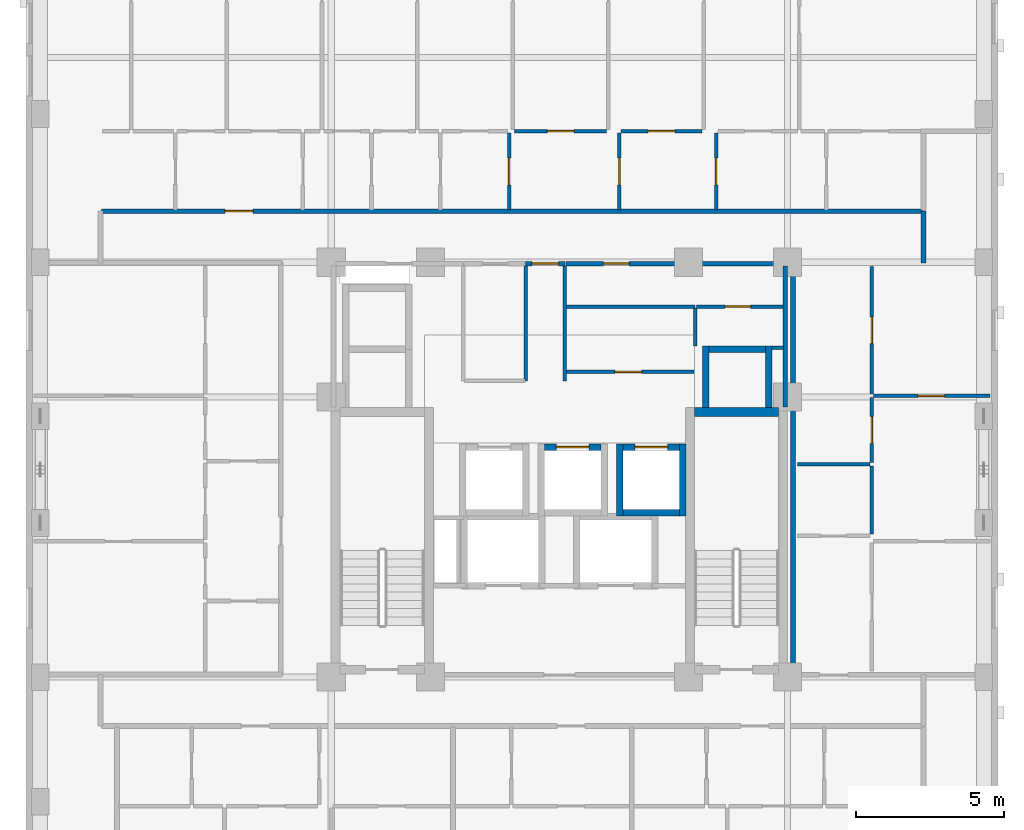
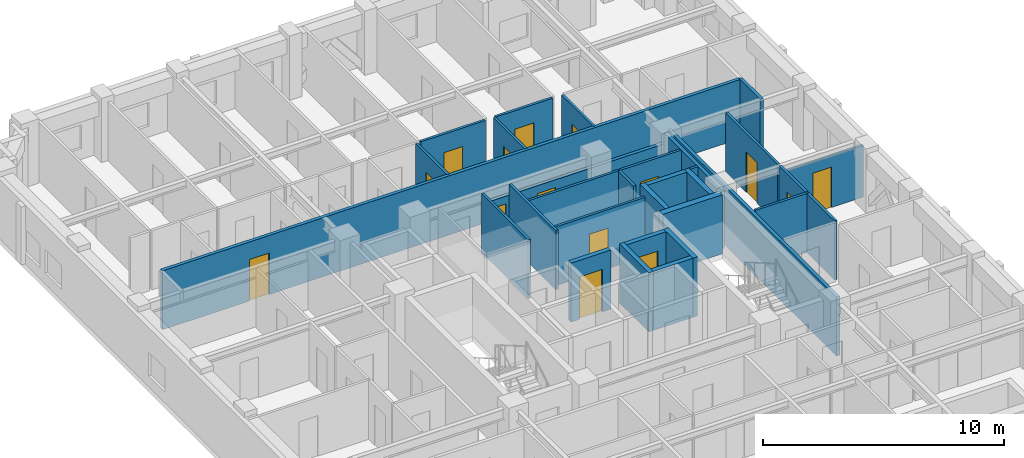
# One storey, part 6 of 11: 32 walls, 15 doors, 15 openings.
"""IFC4 building model written with IfcOpenShell, lengths in metres."""

from ifc_helpers import new_model, si_unit, derived_unit, direction, frame, frame_2d, origin, place, context, subcontext, project, spatial, rectangle, extrude, material, layer, layer_set, type_object, element, fill, save


model = new_model("IFC4")

# Units and contexts
model_context = context("Model", 3, precision=1e-05, world=origin(), true_north=direction((0.0, 1.0)))
body_context = subcontext(model_context, "Body", "Model", "MODEL_VIEW")
ifc_project = project(units=[si_unit("LENGTHUNIT", "METRE"), si_unit("AREAUNIT", "SQUARE_METRE"), si_unit("VOLUMEUNIT", "CUBIC_METRE"), si_unit("PLANEANGLEUNIT", "RADIAN"), si_unit("MASSUNIT", "GRAM", prefix="KILO"), derived_unit("THERMALTRANSMITTANCEUNIT", [(si_unit("MASSUNIT", "GRAM", prefix="KILO"), 1), (si_unit("TIMEUNIT", "SECOND"), -3), (si_unit("THERMODYNAMICTEMPERATUREUNIT", "KELVIN"), -1)])], contexts=[model_context])

# Site, building, storey
site_placement = place(None, origin())
site = spatial("IfcSite", under=ifc_project, at=site_placement, CompositionType="ELEMENT")
building_placement = place(site_placement, origin())
building = spatial("IfcBuilding", under=site, at=building_placement, Name="Korrvale Station Residences", CompositionType="ELEMENT")
storey_placement = place(building_placement, frame((0.0, 0.0, 160.14990234375)))
storey = spatial("IfcBuildingStorey", under=building, at=storey_placement, Name="L46", CompositionType="ELEMENT", Elevation=160.14990234375)

# Walls
ifc_material_1 = material(Name="Concrete C60/75", Category="concrete")
ifc_layer_1 = layer(ifc_material_1, 0.300048828125, Name="Concrete C60/75")
ifc_layer_set_1 = layer_set([ifc_layer_1], Name="Concrete C60/75")
wall_type_1 = type_object("IfcWallType", Name="WAL-CORE-300-C60", PredefinedType="SHEAR", material=ifc_layer_set_1)
wall_1_placement = place(storey_placement, frame((30.050048828125, 23.949951171875, 0.0), z_axis=(0.0, 0.0, 1.0), x_axis=(1.0, 0.0, 0.0)))
element("IfcWall", 1, at=wall_1_placement, inside=storey, type_object=wall_type_1, Name="L46 ST-2 Core Shear Wall North", PredefinedType="SHEAR", context=body_context, shape_type="SweptSolid", body=[
    extrude(rectangle(XDim=2.849853515625, YDim=0.300048828125, at=frame_2d((1.4248046875, 0.0))), origin(), (0.0, 0.0, 1.0), 2.989990234375),
])
ifc_material_2 = material(Name="Acoustic steel-stud gypsum board partition", Category="steel")
ifc_layer_2 = layer(ifc_material_2, 0.1201171875, Name="Acoustic steel-stud gypsum board partition")
ifc_layer_set_2 = layer_set([ifc_layer_2], Name="Acoustic steel-stud gypsum board partition")
wall_type_2 = type_object("IfcWallType", Name="WAL-PART-125", PredefinedType="PARTITIONING", material=ifc_layer_set_2)
for number, where, z_axis, x_axis, name in (
    (2, (24.360107421875, 25.0, 0.0), (0.0, 0.0, 1.0), (0.0, 1.0, 0.0), "L46 Core Partition CW-PSG-W"),
    (3, (25.679931640625, 25.0, 0.0), (0.0, 0.0, 1.0), (0.0, 1.0, 0.0), "L46 Core Partition CW-PSG-E"),
):
    element("IfcWall", number, at=place(storey_placement, frame(where, z_axis=z_axis, x_axis=x_axis)), inside=storey, type_object=wall_type_2, Name=name, PredefinedType="PARTITIONING", context=body_context, shape_type="SweptSolid", body=[
        extrude(rectangle(XDim=3.8701171875, YDim=0.1201171875, at=frame_2d((1.93505859375, 0.0))), origin(), (0.0, 0.0, 1.0), 2.989990234375),
    ])
wall_2_placement = place(storey_placement, frame((30.080078125, 26.179931640625, 0.0), z_axis=(0.0, 0.0, 1.0), x_axis=(0.0, 1.0, 0.0)))
element("IfcWall", 4, at=wall_2_placement, inside=storey, type_object=wall_type_2, Name="L46 Core Partition CW-CS-W", PredefinedType="PARTITIONING", context=body_context, shape_type="SweptSolid", body=[
    extrude(rectangle(XDim=1.280029296875, YDim=0.1201171875, at=frame_2d((0.64013671875, 0.0))), origin(), (0.0, 0.0, 1.0), 2.989990234375),
])
wall_3_placement = place(storey_placement, frame((32.679931640625, 26.1201171875, 0.0), z_axis=(0.0, 0.0, 1.0), x_axis=(1.0, 0.0, 0.0)))
element("IfcWall", 5, at=wall_3_placement, inside=storey, type_object=wall_type_2, Name="L46 Core Partition CW-CS-S", PredefinedType="PARTITIONING", context=body_context, shape_type="SweptSolid", body=[
    extrude(rectangle(XDim=0.380126953125, YDim=0.1201171875, at=frame_2d((0.18994140625, 0.0))), origin(), (0.0, 0.0, 1.0), 2.989990234375),
])

# Wall, opening, door
wall_4_placement = place(storey_placement, frame((30.1201171875, 27.5, 0.0), z_axis=(0.0, 0.0, 1.0), x_axis=(1.0, 0.0, 0.0)))
wall_4 = element("IfcWall", 6, at=wall_4_placement, inside=storey, type_object=wall_type_2, Name="L46 Core Partition CW-CS-H", PredefinedType="PARTITIONING", context=body_context, shape_type="SweptSolid", body=[
    extrude(rectangle(XDim=2.919921875, YDim=0.1201171875, at=frame_2d((1.4599609375, 0.0))), origin(), (0.0, 0.0, 1.0), 2.989990234375),
])
opening_1_placement = place(wall_4_placement, frame((0.969970703125, 0.0, 0.0)))
opening_1 = element("IfcOpeningElement", 7, at=opening_1_placement, cuts=wall_4, Name="Opening DB-860", PredefinedType="OPENING", context=body_context, shape_type="SweptSolid", body=[
    extrude(rectangle(XDim=0.860107421875, YDim=2.050048828125, at=frame_2d((0.43017578125, 1.02490234375))), frame((0.0, 0.070068359375, 0.0), z_axis=(0.0, -1.0, 0.0), x_axis=(1.0, 0.0, 0.0)), (0.0, 0.0, 1.0), 0.14013671875),
])
ifc_material_3 = material(Name="Moisture-resistant solid-core bathroom door", Category="timber")
door_type_1 = type_object("IfcDoorType", Name="DR-BATH-860", OperationType="NOTDEFINED", PredefinedType="DOOR", material=ifc_material_3)
door_1_placement = place(opening_1_placement, origin())
door_1 = element("IfcDoor", 8, at=door_1_placement, inside=storey, type_object=door_type_1, Name="L46 Mail Sorting Inner Door", OperationType="SINGLE_SWING_LEFT", OverallHeight=2.050048828125, OverallWidth=0.860107421875, PredefinedType="DOOR", context=body_context, shape_type="SweptSolid", body=[
    extrude(rectangle(XDim=0.860107421875, YDim=2.050048828125, at=frame_2d((0.43017578125, 1.02490234375))), frame((0.0, 0.02490234375, 0.0), z_axis=(0.0, -1.0, 0.0), x_axis=(1.0, 0.0, 0.0)), (0.0, 0.0, 1.0), 0.050048828125),
])
fill(opening_1, door_1)

# Wall
wall_5_placement = place(storey_placement, frame((25.719970703125, 27.5, 0.0), z_axis=(0.0, 0.0, 1.0), x_axis=(1.0, 0.0, 0.0)))
element("IfcWall", 9, at=wall_5_placement, inside=storey, type_object=wall_type_2, Name="L46 Core Partition CW-FPLE-H", PredefinedType="PARTITIONING", context=body_context, shape_type="SweptSolid", body=[
    extrude(rectangle(XDim=4.360107421875, YDim=0.1201171875, at=frame_2d((2.18017578125, 0.0))), origin(), (0.0, 0.0, 1.0), 2.989990234375),
])

# Wall, opening, door
wall_6_placement = place(storey_placement, frame((25.719970703125, 25.300048828125, 0.0), z_axis=(0.0, 0.0, 1.0), x_axis=(1.0, 0.0, 0.0)))
wall_6 = element("IfcWall", 10, at=wall_6_placement, inside=storey, type_object=wall_type_2, Name="L46 Core Partition CW-FPLE-S", PredefinedType="PARTITIONING", context=body_context, shape_type="SweptSolid", body=[
    extrude(rectangle(XDim=4.320068359375, YDim=0.1201171875, at=frame_2d((2.16015625, 0.0))), origin(), (0.0, 0.0, 1.0), 2.989990234375),
])
opening_2_placement = place(wall_6_placement, frame((1.64990234375, 0.0, 0.0)))
opening_2 = element("IfcOpeningElement", 11, at=opening_2_placement, cuts=wall_6, Name="Opening DI-900", PredefinedType="OPENING", context=body_context, shape_type="SweptSolid", body=[
    extrude(rectangle(XDim=0.89990234375, YDim=2.050048828125, at=frame_2d((0.449951171875, 1.02490234375))), frame((0.0, 0.070068359375, 0.0), z_axis=(0.0, -1.0, 0.0), x_axis=(1.0, 0.0, 0.0)), (0.0, 0.0, 1.0), 0.14013671875),
])
ifc_material_4 = material(Name="Painted solid-core timber interior room door", Category="wood")
door_type_2 = type_object("IfcDoorType", Name="DR-INT-900", OperationType="NOTDEFINED", PredefinedType="DOOR", material=ifc_material_4)
door_2_placement = place(opening_2_placement, origin())
door_2 = element("IfcDoor", 12, at=door_2_placement, inside=storey, type_object=door_type_2, Name="L46 Housekeeping Linen Door", OperationType="SINGLE_SWING_LEFT", OverallHeight=2.050048828125, OverallWidth=0.89990234375, PredefinedType="DOOR", context=body_context, shape_type="SweptSolid", body=[
    extrude(rectangle(XDim=0.89990234375, YDim=2.050048828125, at=frame_2d((0.449951171875, 1.02490234375))), frame((0.0, 0.02490234375, 0.0), z_axis=(0.0, -1.0, 0.0), x_axis=(1.0, 0.0, 0.0)), (0.0, 0.0, 1.0), 0.050048828125),
])
fill(opening_2, door_2)

wall_7_placement = place(storey_placement, frame((23.800048828125, 30.760009765625, 0.0), z_axis=(0.0, 0.0, 1.0), x_axis=(0.0, 1.0, 0.0)))
wall_7 = element("IfcWall", 13, at=wall_7_placement, inside=storey, type_object=wall_type_2, Name="L46 Suite Partition U04-V45", PredefinedType="PARTITIONING", context=body_context, shape_type="SweptSolid", body=[
    extrude(rectangle(XDim=2.60009765625, YDim=0.1201171875, at=frame_2d((1.300048828125, 0.0))), origin(), (0.0, 0.0, 1.0), 2.989990234375),
])
opening_3_placement = place(wall_7_placement, frame((0.85009765625, 0.0, 0.0)))
opening_3 = element("IfcOpeningElement", 14, at=opening_3_placement, cuts=wall_7, Name="Opening DI-900", PredefinedType="OPENING", context=body_context, shape_type="SweptSolid", body=[
    extrude(rectangle(XDim=0.89990234375, YDim=2.050048828125, at=frame_2d((0.449951171875, 1.02490234375))), frame((0.0, 0.070068359375, 0.0), z_axis=(0.0, -1.0, 0.0), x_axis=(1.0, 0.0, 0.0)), (0.0, 0.0, 1.0), 0.14013671875),
])
door_3_placement = place(opening_3_placement, origin())
door_3 = element("IfcDoor", 15, at=door_3_placement, inside=storey, type_object=door_type_2, Name="L46 Studio Apartment L46-U04 Wardrobe Storage Room Door", OperationType="SINGLE_SWING_RIGHT", OverallHeight=2.050048828125, OverallWidth=0.89990234375, PredefinedType="DOOR", context=body_context, shape_type="SweptSolid", body=[
    extrude(rectangle(XDim=0.89990234375, YDim=2.050048828125, at=frame_2d((0.449951171875, 1.02490234375))), frame((0.0, 0.02490234375, 0.0), z_axis=(0.0, -1.0, 0.0), x_axis=(1.0, 0.0, 0.0)), (0.0, 0.0, 1.0), 0.050048828125),
])
fill(opening_3, door_3)

wall_8_placement = place(storey_placement, frame((27.52001953125, 30.760009765625, 0.0), z_axis=(0.0, 0.0, 1.0), x_axis=(0.0, 1.0, 0.0)))
wall_8 = element("IfcWall", 16, at=wall_8_placement, inside=storey, type_object=wall_type_2, Name="L46 Suite Partition U04-V56", PredefinedType="PARTITIONING", context=body_context, shape_type="SweptSolid", body=[
    extrude(rectangle(XDim=2.60009765625, YDim=0.1201171875, at=frame_2d((1.300048828125, 0.0))), origin(), (0.0, 0.0, 1.0), 2.989990234375),
])
opening_4_placement = place(wall_8_placement, frame((0.85009765625, 0.0, 0.0)))
opening_4 = element("IfcOpeningElement", 17, at=opening_4_placement, cuts=wall_8, Name="Opening DI-900", PredefinedType="OPENING", context=body_context, shape_type="SweptSolid", body=[
    extrude(rectangle(XDim=0.89990234375, YDim=2.050048828125, at=frame_2d((0.449951171875, 1.02490234375))), frame((0.0, 0.070068359375, 0.0), z_axis=(0.0, -1.0, 0.0), x_axis=(1.0, 0.0, 0.0)), (0.0, 0.0, 1.0), 0.14013671875),
])
door_4_placement = place(opening_4_placement, origin())
door_4 = element("IfcDoor", 18, at=door_4_placement, inside=storey, type_object=door_type_2, Name="L46 Studio Apartment L46-U04 Utility and Laundry Room Door", OperationType="SINGLE_SWING_RIGHT", OverallHeight=2.050048828125, OverallWidth=0.89990234375, PredefinedType="DOOR", context=body_context, shape_type="SweptSolid", body=[
    extrude(rectangle(XDim=0.89990234375, YDim=2.050048828125, at=frame_2d((0.449951171875, 1.02490234375))), frame((0.0, 0.02490234375, 0.0), z_axis=(0.0, -1.0, 0.0), x_axis=(1.0, 0.0, 0.0)), (0.0, 0.0, 1.0), 0.050048828125),
])
fill(opening_4, door_4)

wall_9_placement = place(storey_placement, frame((23.989990234375, 33.419921875, 0.0), z_axis=(0.0, 0.0, 1.0), x_axis=(1.0, 0.0, 0.0)))
wall_9 = element("IfcWall", 19, at=wall_9_placement, inside=storey, type_object=wall_type_2, Name="L46 Suite Partition U04-H514", PredefinedType="PARTITIONING", context=body_context, shape_type="SweptSolid", body=[
    extrude(rectangle(XDim=3.10009765625, YDim=0.1201171875, at=frame_2d((1.550048828125, 0.0))), origin(), (0.0, 0.0, 1.0), 2.989990234375),
])
opening_5_placement = place(wall_9_placement, frame((1.10009765625, 0.0, 0.0)))
opening_5 = element("IfcOpeningElement", 20, at=opening_5_placement, cuts=wall_9, Name="Opening DI-900", PredefinedType="OPENING", context=body_context, shape_type="SweptSolid", body=[
    extrude(rectangle(XDim=0.89990234375, YDim=2.050048828125, at=frame_2d((0.449951171875, 1.02490234375))), frame((0.0, 0.070068359375, 0.0), z_axis=(0.0, -1.0, 0.0), x_axis=(1.0, 0.0, 0.0)), (0.0, 0.0, 1.0), 0.14013671875),
])
door_5_placement = place(opening_5_placement, origin())
door_5 = element("IfcDoor", 21, at=door_5_placement, inside=storey, type_object=door_type_2, Name="L46 Studio Apartment L46-U04 Utility and Laundry Room Door", OperationType="SINGLE_SWING_LEFT", OverallHeight=2.050048828125, OverallWidth=0.89990234375, PredefinedType="DOOR", context=body_context, shape_type="SweptSolid", body=[
    extrude(rectangle(XDim=0.89990234375, YDim=2.050048828125, at=frame_2d((0.449951171875, 1.02490234375))), frame((0.0, 0.02490234375, 0.0), z_axis=(0.0, -1.0, 0.0), x_axis=(1.0, 0.0, 0.0)), (0.0, 0.0, 1.0), 0.050048828125),
])
fill(opening_5, door_5)

wall_10_placement = place(storey_placement, frame((30.7900390625, 30.760009765625, 0.0), z_axis=(0.0, 0.0, 1.0), x_axis=(0.0, 1.0, 0.0)))
wall_10 = element("IfcWall", 22, at=wall_10_placement, inside=storey, type_object=wall_type_2, Name="L46 Suite Partition U04-V67", PredefinedType="PARTITIONING", context=body_context, shape_type="SweptSolid", body=[
    extrude(rectangle(XDim=2.60009765625, YDim=0.1201171875, at=frame_2d((1.300048828125, 0.0))), origin(), (0.0, 0.0, 1.0), 2.989990234375),
])
opening_6_placement = place(wall_10_placement, frame((0.85009765625, 0.0, 0.0)))
opening_6 = element("IfcOpeningElement", 23, at=opening_6_placement, cuts=wall_10, Name="Opening DI-900", PredefinedType="OPENING", context=body_context, shape_type="SweptSolid", body=[
    extrude(rectangle(XDim=0.89990234375, YDim=2.050048828125, at=frame_2d((0.449951171875, 1.02490234375))), frame((0.0, 0.070068359375, 0.0), z_axis=(0.0, -1.0, 0.0), x_axis=(1.0, 0.0, 0.0)), (0.0, 0.0, 1.0), 0.14013671875),
])
door_6_placement = place(opening_6_placement, origin())
door_6 = element("IfcDoor", 24, at=door_6_placement, inside=storey, type_object=door_type_2, Name="L46 Studio Apartment L46-U04 Storage Closet 2 Door", OperationType="SINGLE_SWING_RIGHT", OverallHeight=2.050048828125, OverallWidth=0.89990234375, PredefinedType="DOOR", context=body_context, shape_type="SweptSolid", body=[
    extrude(rectangle(XDim=0.89990234375, YDim=2.050048828125, at=frame_2d((0.449951171875, 1.02490234375))), frame((0.0, 0.02490234375, 0.0), z_axis=(0.0, -1.0, 0.0), x_axis=(1.0, 0.0, 0.0)), (0.0, 0.0, 1.0), 0.050048828125),
])
fill(opening_6, door_6)

wall_11_placement = place(storey_placement, frame((27.580078125, 33.419921875, 0.0), z_axis=(0.0, 0.0, 1.0), x_axis=(1.0, 0.0, 0.0)))
wall_11 = element("IfcWall", 25, at=wall_11_placement, inside=storey, type_object=wall_type_2, Name="L46 Suite Partition U04-H615", PredefinedType="PARTITIONING", context=body_context, shape_type="SweptSolid", body=[
    extrude(rectangle(XDim=2.72998046875, YDim=0.1201171875, at=frame_2d((1.364990234375, 0.0))), origin(), (0.0, 0.0, 1.0), 2.989990234375),
])
opening_7_placement = place(wall_11_placement, frame((0.9150390625, 0.0, 0.0)))
opening_7 = element("IfcOpeningElement", 26, at=opening_7_placement, cuts=wall_11, Name="Opening DI-900", PredefinedType="OPENING", context=body_context, shape_type="SweptSolid", body=[
    extrude(rectangle(XDim=0.89990234375, YDim=2.050048828125, at=frame_2d((0.449951171875, 1.02490234375))), frame((0.0, 0.070068359375, 0.0), z_axis=(0.0, -1.0, 0.0), x_axis=(1.0, 0.0, 0.0)), (0.0, 0.0, 1.0), 0.14013671875),
])
door_7_placement = place(opening_7_placement, origin())
door_7 = element("IfcDoor", 27, at=door_7_placement, inside=storey, type_object=door_type_2, Name="L46 Studio Apartment L46-U04 Storage Closet 2 Door", OperationType="SINGLE_SWING_LEFT", OverallHeight=2.050048828125, OverallWidth=0.89990234375, PredefinedType="DOOR", context=body_context, shape_type="SweptSolid", body=[
    extrude(rectangle(XDim=0.89990234375, YDim=2.050048828125, at=frame_2d((0.449951171875, 1.02490234375))), frame((0.0, 0.02490234375, 0.0), z_axis=(0.0, -1.0, 0.0), x_axis=(1.0, 0.0, 0.0)), (0.0, 0.0, 1.0), 0.050048828125),
])
fill(opening_7, door_7)

# Wall
wall_12_placement = place(storey_placement, frame((33.530029296875, 22.18994140625, 0.0), z_axis=(0.0, 0.0, 1.0), x_axis=(1.0, 0.0, 0.0)))
element("IfcWall", 28, at=wall_12_placement, inside=storey, type_object=wall_type_2, Name="L46 Suite Partition U06-H01", PredefinedType="PARTITIONING", context=body_context, shape_type="SweptSolid", body=[
    extrude(rectangle(XDim=2.449951171875, YDim=0.1201171875, at=frame_2d((1.22509765625, 0.0))), origin(), (0.0, 0.0, 1.0), 2.989990234375),
])

# Wall, opening, door
wall_13_placement = place(storey_placement, frame((36.0400390625, 22.25, 0.0), z_axis=(0.0, 0.0, 1.0), x_axis=(0.0, 1.0, 0.0)))
wall_13 = element("IfcWall", 29, at=wall_13_placement, inside=storey, type_object=wall_type_2, Name="L46 Suite Partition U06-V04", PredefinedType="PARTITIONING", context=body_context, shape_type="SweptSolid", body=[
    extrude(rectangle(XDim=2.181884765625, YDim=0.1201171875, at=frame_2d((1.0908203125, 0.0))), origin(), (0.0, 0.0, 1.0), 2.989990234375),
])
opening_8_placement = place(wall_13_placement, frame((0.64111328125, 0.0, 0.0)))
opening_8 = element("IfcOpeningElement", 30, at=opening_8_placement, cuts=wall_13, Name="Opening DI-900", PredefinedType="OPENING", context=body_context, shape_type="SweptSolid", body=[
    extrude(rectangle(XDim=0.89990234375, YDim=2.050048828125, at=frame_2d((0.449951171875, 1.02490234375))), frame((0.0, 0.070068359375, 0.0), z_axis=(0.0, -1.0, 0.0), x_axis=(1.0, 0.0, 0.0)), (0.0, 0.0, 1.0), 0.14013671875),
])
door_8_placement = place(opening_8_placement, origin())
door_8 = element("IfcDoor", 31, at=door_8_placement, inside=storey, type_object=door_type_2, Name="L46 Apartment 2BR L46-U06 Wardrobe Storage Room Door", OperationType="SINGLE_SWING_RIGHT", OverallHeight=2.050048828125, OverallWidth=0.89990234375, PredefinedType="DOOR", context=body_context, shape_type="SweptSolid", body=[
    extrude(rectangle(XDim=0.89990234375, YDim=2.050048828125, at=frame_2d((0.449951171875, 1.02490234375))), frame((0.0, 0.02490234375, 0.0), z_axis=(0.0, -1.0, 0.0), x_axis=(1.0, 0.0, 0.0)), (0.0, 0.0, 1.0), 0.050048828125),
])
fill(opening_8, door_8)

wall_14_placement = place(storey_placement, frame((36.0400390625, 24.552001953125, 0.0), z_axis=(0.0, 0.0, 1.0), x_axis=(0.0, 1.0, 0.0)))
wall_14 = element("IfcWall", 32, at=wall_14_placement, inside=storey, type_object=wall_type_2, Name="L46 Suite Partition U06-V05", PredefinedType="PARTITIONING", context=body_context, shape_type="SweptSolid", body=[
    extrude(rectangle(XDim=4.30810546875, YDim=0.1201171875, at=frame_2d((2.154052734375, 0.0))), origin(), (0.0, 0.0, 1.0), 2.989990234375),
])
opening_9_placement = place(wall_14_placement, frame((1.7041015625, 0.0, 0.0)))
opening_9 = element("IfcOpeningElement", 33, at=opening_9_placement, cuts=wall_14, Name="Opening DI-900", PredefinedType="OPENING", context=body_context, shape_type="SweptSolid", body=[
    extrude(rectangle(XDim=0.89990234375, YDim=2.050048828125, at=frame_2d((0.449951171875, 1.02490234375))), frame((0.0, 0.070068359375, 0.0), z_axis=(0.0, -1.0, 0.0), x_axis=(1.0, 0.0, 0.0)), (0.0, 0.0, 1.0), 0.14013671875),
])
door_9_placement = place(opening_9_placement, origin())
door_9 = element("IfcDoor", 34, at=door_9_placement, inside=storey, type_object=door_type_2, Name="L46 Apartment 2BR L46-U06 Wardrobe Storage Room Door", OperationType="SINGLE_SWING_LEFT", OverallHeight=2.050048828125, OverallWidth=0.89990234375, PredefinedType="DOOR", context=body_context, shape_type="SweptSolid", body=[
    extrude(rectangle(XDim=0.89990234375, YDim=2.050048828125, at=frame_2d((0.449951171875, 1.02490234375))), frame((0.0, 0.02490234375, 0.0), z_axis=(0.0, -1.0, 0.0), x_axis=(1.0, 0.0, 0.0)), (0.0, 0.0, 1.0), 0.050048828125),
])
fill(opening_9, door_9)

# Wall
wall_15_placement = place(storey_placement, frame((36.0400390625, 19.830078125, 0.0), z_axis=(0.0, 0.0, 1.0), x_axis=(0.0, 1.0, 0.0)))
element("IfcWall", 35, at=wall_15_placement, inside=storey, type_object=wall_type_2, Name="L46 Suite Partition U06-V14", PredefinedType="PARTITIONING", context=body_context, shape_type="SweptSolid", body=[
    extrude(rectangle(XDim=2.2998046875, YDim=0.1201171875, at=frame_2d((1.14990234375, 0.0))), origin(), (0.0, 0.0, 1.0), 2.989990234375),
])

# Wall, opening, door
wall_16_placement = place(storey_placement, frame((36.10009765625, 24.491943359375, 0.0), z_axis=(0.0, 0.0, 1.0), x_axis=(1.0, 0.0, 0.0)))
wall_16 = element("IfcWall", 36, at=wall_16_placement, inside=storey, type_object=wall_type_2, Name="L46 Suite Partition U06-H45", PredefinedType="PARTITIONING", context=body_context, shape_type="SweptSolid", body=[
    extrude(rectangle(XDim=3.919921875, YDim=0.1201171875, at=frame_2d((1.9599609375, 0.0))), origin(), (0.0, 0.0, 1.0), 2.62109375),
])
opening_10_placement = place(wall_16_placement, frame((1.4951171875, 0.0, 0.0)))
opening_10 = element("IfcOpeningElement", 37, at=opening_10_placement, cuts=wall_16, Name="Opening DI-900", PredefinedType="OPENING", context=body_context, shape_type="SweptSolid", body=[
    extrude(rectangle(XDim=0.89990234375, YDim=2.050048828125, at=frame_2d((0.449951171875, 1.02490234375))), frame((0.0, 0.070068359375, 0.0), z_axis=(0.0, -1.0, 0.0), x_axis=(1.0, 0.0, 0.0)), (0.0, 0.0, 1.0), 0.14013671875),
])
door_10_placement = place(opening_10_placement, origin())
door_10 = element("IfcDoor", 38, at=door_10_placement, inside=storey, type_object=door_type_2, Name="L46 Apartment 2BR L46-U06 Living and Dining Room Door", OperationType="SINGLE_SWING_LEFT", OverallHeight=2.050048828125, OverallWidth=0.89990234375, PredefinedType="DOOR", context=body_context, shape_type="SweptSolid", body=[
    extrude(rectangle(XDim=0.89990234375, YDim=2.050048828125, at=frame_2d((0.449951171875, 1.02490234375))), frame((0.0, 0.02490234375, 0.0), z_axis=(0.0, -1.0, 0.0), x_axis=(1.0, 0.0, 0.0)), (0.0, 0.0, 1.0), 0.050048828125),
])
fill(opening_10, door_10)

# Wall
ifc_material_5 = material(Name="Fire-rated twin-stud gypsum and mineral wool shaftwall assembly", Category="gypsum")
ifc_layer_3 = layer(ifc_material_5, 0.159912109375, Name="Fire-rated twin-stud gypsum and mineral wool shaftwall assembly")
ifc_layer_set_3 = layer_set([ifc_layer_3], Name="Fire-rated twin-stud gypsum and mineral wool shaftwall assembly")
wall_type_3 = type_object("IfcWallType", Name="WAL-PART-200", PredefinedType="PARTITIONING", material=ifc_layer_set_3)
wall_17_placement = place(storey_placement, frame((33.1201171875, 24.1201171875, 0.0), z_axis=(0.0, 0.0, 1.0), x_axis=(0.0, 1.0, 0.0)))
element("IfcWall", 39, at=wall_17_placement, inside=storey, type_object=wall_type_3, Name="L46 Core Partition CW-E-N", PredefinedType="PARTITIONING", context=body_context, shape_type="SweptSolid", body=[
    extrude(rectangle(XDim=4.759765625, YDim=0.159912109375, at=frame_2d((2.3798828125, 0.0))), origin(), (0.0, 0.0, 1.0), 2.989990234375),
])

# Wall, opening, door
wall_18_placement = place(storey_placement, frame((24.360107421875, 28.949951171875, 0.0), z_axis=(0.0, 0.0, 1.0), x_axis=(1.0, 0.0, 0.0)))
wall_18 = element("IfcWall", 40, at=wall_18_placement, inside=storey, type_object=wall_type_3, Name="L46 Core Partition CW-LLOB-N", PredefinedType="PARTITIONING", context=body_context, shape_type="SweptSolid", body=[
    extrude(rectangle(XDim=1.31982421875, YDim=0.159912109375, at=frame_2d((0.659912109375, 0.0))), origin(), (0.0, 0.0, 1.0), 2.442138671875),
])
opening_11_placement = place(wall_18_placement, frame((0.2099609375, 0.0, 0.0)))
opening_11 = element("IfcOpeningElement", 41, at=opening_11_placement, cuts=wall_18, Name="Opening DI-900", PredefinedType="OPENING", context=body_context, shape_type="SweptSolid", body=[
    extrude(rectangle(XDim=0.89990234375, YDim=2.050048828125, at=frame_2d((0.449951171875, 1.02490234375))), frame((0.0, 0.08984375, 0.0), z_axis=(0.0, -1.0, 0.0), x_axis=(1.0, 0.0, 0.0)), (0.0, 0.0, 1.0), 0.179931640625),
])
door_11_placement = place(opening_11_placement, origin())
door_11 = element("IfcDoor", 42, at=door_11_placement, inside=storey, type_object=door_type_2, Name="L46 Central Hallway North Passage Door", OperationType="SINGLE_SWING_LEFT", OverallHeight=2.050048828125, OverallWidth=0.89990234375, PredefinedType="DOOR", context=body_context, shape_type="SweptSolid", body=[
    extrude(rectangle(XDim=0.89990234375, YDim=2.050048828125, at=frame_2d((0.449951171875, 1.02490234375))), frame((0.0, 0.02490234375, 0.0), z_axis=(0.0, -1.0, 0.0), x_axis=(1.0, 0.0, 0.0)), (0.0, 0.0, 1.0), 0.050048828125),
])
fill(opening_11, door_11)

wall_19_placement = place(storey_placement, frame((25.719970703125, 28.949951171875, 0.0), z_axis=(0.0, 0.0, 1.0), x_axis=(1.0, 0.0, 0.0)))
wall_19 = element("IfcWall", 43, at=wall_19_placement, inside=storey, type_object=wall_type_3, Name="L46 Core Partition CW-FPLE-N", PredefinedType="PARTITIONING", context=body_context, shape_type="SweptSolid", body=[
    extrude(rectangle(XDim=7.320068359375, YDim=0.159912109375, at=frame_2d((3.66015625, 0.0))), origin(), (0.0, 0.0, 1.0), 2.442138671875),
])
opening_12_placement = place(wall_19_placement, frame((1.27001953125, 0.0, 0.0)))
opening_12 = element("IfcOpeningElement", 44, at=opening_12_placement, cuts=wall_19, Name="Opening DB-860", PredefinedType="OPENING", context=body_context, shape_type="SweptSolid", body=[
    extrude(rectangle(XDim=0.860107421875, YDim=2.050048828125, at=frame_2d((0.43017578125, 1.02490234375))), frame((0.0, 0.08984375, 0.0), z_axis=(0.0, -1.0, 0.0), x_axis=(1.0, 0.0, 0.0)), (0.0, 0.0, 1.0), 0.179931640625),
])
door_12_placement = place(opening_12_placement, origin())
door_12 = element("IfcDoor", 45, at=door_12_placement, inside=storey, type_object=door_type_1, Name="L46 Luggage Pantry Door", OperationType="SINGLE_SWING_RIGHT", OverallHeight=2.050048828125, OverallWidth=0.860107421875, PredefinedType="DOOR", context=body_context, shape_type="SweptSolid", body=[
    extrude(rectangle(XDim=0.860107421875, YDim=2.050048828125, at=frame_2d((0.43017578125, 1.02490234375))), frame((0.0, 0.02490234375, 0.0), z_axis=(0.0, -1.0, 0.0), x_axis=(1.0, 0.0, 0.0)), (0.0, 0.0, 1.0), 0.050048828125),
])
fill(opening_12, door_12)

# Wall
wall_20_placement = place(storey_placement, frame((37.780029296875, 28.97998046875, 0.0), z_axis=(0.0, 0.0, 1.0), x_axis=(0.0, 1.0, 0.0)))
element("IfcWall", 46, at=wall_20_placement, inside=storey, type_object=wall_type_3, Name="L46 Corridor North East Cap", PredefinedType="PARTITIONING", context=body_context, shape_type="SweptSolid", body=[
    extrude(rectangle(XDim=1.739990234375, YDim=0.159912109375, at=frame_2d((0.8701171875, 0.0))), origin(), (0.0, 0.0, 1.0), 2.989990234375),
])

# Wall, opening, door
wall_21_placement = place(storey_placement, frame((10.050048828125, 30.719970703125, 0.0), z_axis=(0.0, 0.0, 1.0), x_axis=(1.0, 0.0, 0.0)))
wall_21 = element("IfcWall", 47, at=wall_21_placement, inside=storey, type_object=wall_type_3, Name="L46 Rated Corridor Wall N", PredefinedType="PARTITIONING", context=body_context, shape_type="SweptSolid", body=[
    extrude(rectangle(XDim=27.699951171875, YDim=0.159912109375, at=frame_2d((13.85009765625, 0.0))), origin(), (0.0, 0.0, 1.0), 2.989990234375),
])
opening_13_placement = place(wall_21_placement, frame((4.1650390625, 0.0, 0.0)))
opening_13 = element("IfcOpeningElement", 48, at=opening_13_placement, cuts=wall_21, Name="Opening UD-950", PredefinedType="OPENING", context=body_context, shape_type="SweptSolid", body=[
    extrude(rectangle(XDim=0.949951171875, YDim=2.10009765625, at=frame_2d((0.47509765625, 1.050048828125))), frame((0.0, 0.08984375, 0.0), z_axis=(0.0, -1.0, 0.0), x_axis=(1.0, 0.0, 0.0)), (0.0, 0.0, 1.0), 0.179931640625),
])
ifc_material_6 = material(Name="Solid-core acoustic oak apartment entrance door", Category="timber")
door_type_3 = type_object("IfcDoorType", Name="DR-UNIT-950", OperationType="NOTDEFINED", PredefinedType="DOOR", material=ifc_material_6)
door_13_placement = place(opening_13_placement, origin())
door_13 = element("IfcDoor", 49, at=door_13_placement, inside=storey, type_object=door_type_3, Name="L46 Apartment L46-U04 Entrance Door", OperationType="SINGLE_SWING_LEFT", OverallHeight=2.10009765625, OverallWidth=0.949951171875, PredefinedType="DOOR", context=body_context, shape_type="SweptSolid", body=[
    extrude(rectangle(XDim=0.949951171875, YDim=2.10009765625, at=frame_2d((0.47509765625, 1.050048828125))), frame((0.0, 0.02490234375, 0.0), z_axis=(0.0, -1.0, 0.0), x_axis=(1.0, 0.0, 0.0)), (0.0, 0.0, 1.0), 0.050048828125),
])
fill(opening_13, door_13)

# Wall
wall_22_placement = place(storey_placement, frame((33.3798828125, 15.02001953125, 0.0), z_axis=(0.0, 0.0, 1.0), x_axis=(0.0, 1.0, 0.0)))
element("IfcWall", 50, at=wall_22_placement, inside=storey, type_object=wall_type_3, Name="L46 Rated Corridor Wall E", PredefinedType="PARTITIONING", context=body_context, shape_type="SweptSolid", body=[
    extrude(rectangle(XDim=13.97998046875, YDim=0.159912109375, at=frame_2d((6.989990234375, 0.0))), origin(), (0.0, 0.0, 1.0), 2.989990234375),
])

# Wall, opening, door
ifc_layer_4 = layer(ifc_material_1, 0.219970703125, Name="Concrete C60/75")
ifc_layer_set_4 = layer_set([ifc_layer_4], Name="Concrete C60/75")
wall_type_4 = type_object("IfcWallType", Name="WAL-SHAFT-220-C60", PredefinedType="SHEAR", material=ifc_layer_set_4)
wall_23_placement = place(storey_placement, frame((25.0, 22.760009765625, 0.0), z_axis=(0.0, 0.0, 1.0), x_axis=(1.0, 0.0, 0.0)))
wall_23 = element("IfcWall", 51, at=wall_23_placement, inside=storey, type_object=wall_type_4, Name="L46 Elevator PM-2 Hoistway Wall North", PredefinedType="SHEAR", context=body_context, shape_type="SweptSolid", body=[
    extrude(rectangle(XDim=1.89990234375, YDim=0.219970703125, at=frame_2d((0.949951171875, 0.0))), origin(), (0.0, 0.0, 1.0), 2.989990234375),
])
opening_14_placement = place(wall_23_placement, frame((0.39990234375, 0.0, 0.0)))
opening_14 = element("IfcOpeningElement", 52, at=opening_14_placement, cuts=wall_23, Name="Opening LD-1100", PredefinedType="OPENING", context=body_context, shape_type="SweptSolid", body=[
    extrude(rectangle(XDim=1.10009765625, YDim=2.14990234375, at=frame_2d((0.550048828125, 1.074951171875))), frame((0.0, 0.1201171875, 0.0), z_axis=(0.0, -1.0, 0.0), x_axis=(1.0, 0.0, 0.0)), (0.0, 0.0, 1.0), 0.239990234375),
])
ifc_material_7 = material(Name="Brushed stainless-steel elevator landing sliding door", Category="steel")
door_type_4 = type_object("IfcDoorType", Name="DR-LIFT-1100", OperationType="SLIDING_TO_LEFT", PredefinedType="DOOR", material=ifc_material_7)
door_14_placement = place(opening_14_placement, origin())
door_14 = element("IfcDoor", 53, at=door_14_placement, inside=storey, type_object=door_type_4, Name="L46 Elevator PM-2 Sliding Landing Door", OperationType="SLIDING_TO_LEFT", OverallHeight=2.14990234375, OverallWidth=1.10009765625, PredefinedType="DOOR", context=body_context, shape_type="SweptSolid", body=[
    extrude(rectangle(XDim=1.10009765625, YDim=2.14990234375, at=frame_2d((0.550048828125, 1.074951171875))), frame((0.0, 0.02490234375, 0.0), z_axis=(0.0, -1.0, 0.0), x_axis=(1.0, 0.0, 0.0)), (0.0, 0.0, 1.0), 0.050048828125),
])
fill(opening_14, door_14)

# Wall
wall_24_placement = place(storey_placement, frame((27.64990234375, 20.5400390625, 0.0), z_axis=(0.0, 0.0, 1.0), x_axis=(1.0, 0.0, 0.0)))
element("IfcWall", 54, at=wall_24_placement, inside=storey, type_object=wall_type_4, Name="L46 Elevator PM-3 Hoistway Wall South", PredefinedType="SHEAR", context=body_context, shape_type="SweptSolid", body=[
    extrude(rectangle(XDim=1.900146484375, YDim=0.219970703125, at=frame_2d((0.9501953125, 0.0))), origin(), (0.0, 0.0, 1.0), 2.989990234375),
])

# Wall, opening, door
wall_25_placement = place(storey_placement, frame((27.64990234375, 22.760009765625, 0.0), z_axis=(0.0, 0.0, 1.0), x_axis=(1.0, 0.0, 0.0)))
wall_25 = element("IfcWall", 55, at=wall_25_placement, inside=storey, type_object=wall_type_4, Name="L46 Elevator PM-3 Hoistway Wall North", PredefinedType="SHEAR", context=body_context, shape_type="SweptSolid", body=[
    extrude(rectangle(XDim=1.900146484375, YDim=0.219970703125, at=frame_2d((0.9501953125, 0.0))), origin(), (0.0, 0.0, 1.0), 2.989990234375),
])
opening_15_placement = place(wall_25_placement, frame((0.39990234375, 0.0, 0.0)))
opening_15 = element("IfcOpeningElement", 56, at=opening_15_placement, cuts=wall_25, Name="Opening LD-1100", PredefinedType="OPENING", context=body_context, shape_type="SweptSolid", body=[
    extrude(rectangle(XDim=1.10009765625, YDim=2.14990234375, at=frame_2d((0.550048828125, 1.074951171875))), frame((0.0, 0.1201171875, 0.0), z_axis=(0.0, -1.0, 0.0), x_axis=(1.0, 0.0, 0.0)), (0.0, 0.0, 1.0), 0.239990234375),
])
door_15_placement = place(opening_15_placement, origin())
door_15 = element("IfcDoor", 57, at=door_15_placement, inside=storey, type_object=door_type_4, Name="L46 Elevator PM-3 Sliding Landing Door", OperationType="SLIDING_TO_LEFT", OverallHeight=2.14990234375, OverallWidth=1.10009765625, PredefinedType="DOOR", context=body_context, shape_type="SweptSolid", body=[
    extrude(rectangle(XDim=1.10009765625, YDim=2.14990234375, at=frame_2d((0.550048828125, 1.074951171875))), frame((0.0, 0.02490234375, 0.0), z_axis=(0.0, -1.0, 0.0), x_axis=(1.0, 0.0, 0.0)), (0.0, 0.0, 1.0), 0.050048828125),
])
fill(opening_15, door_15)

# Walls
for number, where, z_axis, x_axis, name in (
    (58, (27.5400390625, 20.429931640625, 0.0), (0.0, 0.0, 1.0), (0.0, 1.0, 0.0), "L46 Elevator PM-3 Hoistway Wall West"),
    (59, (29.659912109375, 20.429931640625, 0.0), (0.0, 0.0, 1.0), (0.0, 1.0, 0.0), "L46 Elevator PM-3 Hoistway Wall East"),
):
    element("IfcWall", number, at=place(storey_placement, frame(where, z_axis=z_axis, x_axis=x_axis)), inside=storey, type_object=wall_type_4, Name=name, PredefinedType="SHEAR", context=body_context, shape_type="SweptSolid", body=[
        extrude(rectangle(XDim=2.440185546875, YDim=0.219970703125, at=frame_2d((1.22021484375, 0.0))), origin(), (0.0, 0.0, 1.0), 2.989990234375),
    ])
wall_26_placement = place(storey_placement, frame((30.550048828125, 26.06005859375, 0.0), z_axis=(0.0, 0.0, 1.0), x_axis=(1.0, 0.0, 0.0)))
element("IfcWall", 60, at=wall_26_placement, inside=storey, type_object=wall_type_4, Name="L46 Elevator PH-3 Hoistway Wall North", PredefinedType="SHEAR", context=body_context, shape_type="SweptSolid", body=[
    extrude(rectangle(XDim=1.89990234375, YDim=0.219970703125, at=frame_2d((0.949951171875, 0.0))), origin(), (0.0, 0.0, 1.0), 2.989990234375),
])
for number, where, z_axis, x_axis, name in (
    (61, (30.43994140625, 24.10009765625, 0.0), (0.0, 0.0, 1.0), (0.0, 1.0, 0.0), "L46 Elevator PH-3 Hoistway Wall West"),
    (62, (32.56005859375, 24.10009765625, 0.0), (0.0, 0.0, 1.0), (0.0, 1.0, 0.0), "L46 Elevator PH-3 Hoistway Wall East"),
):
    element("IfcWall", number, at=place(storey_placement, frame(where, z_axis=z_axis, x_axis=x_axis)), inside=storey, type_object=wall_type_4, Name=name, PredefinedType="SHEAR", context=body_context, shape_type="SweptSolid", body=[
        extrude(rectangle(XDim=2.06982421875, YDim=0.219970703125, at=frame_2d((1.034912109375, 0.0))), origin(), (0.0, 0.0, 1.0), 2.989990234375),
    ])

save(model, "model.ifc")
